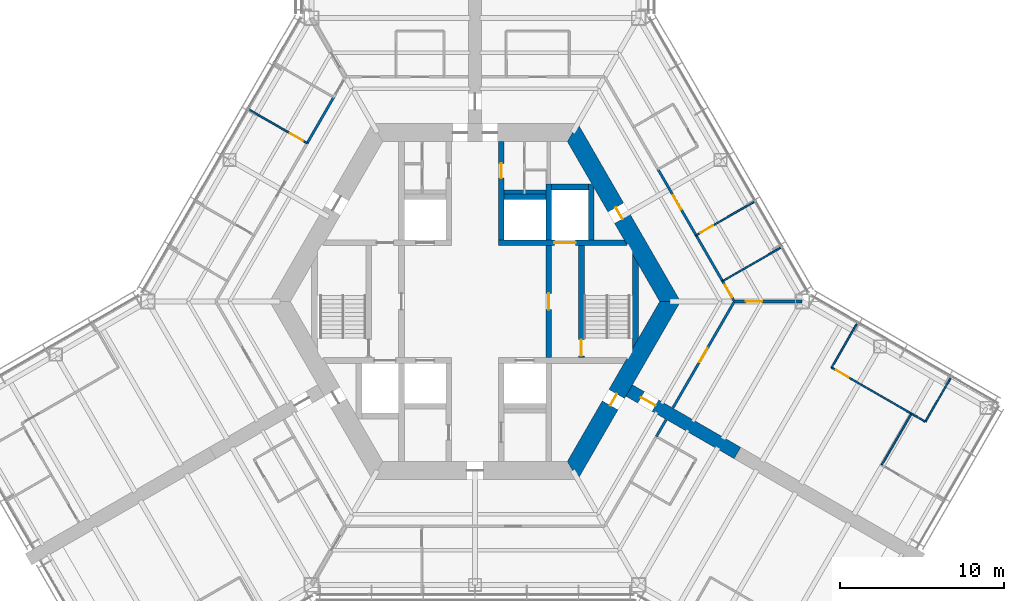
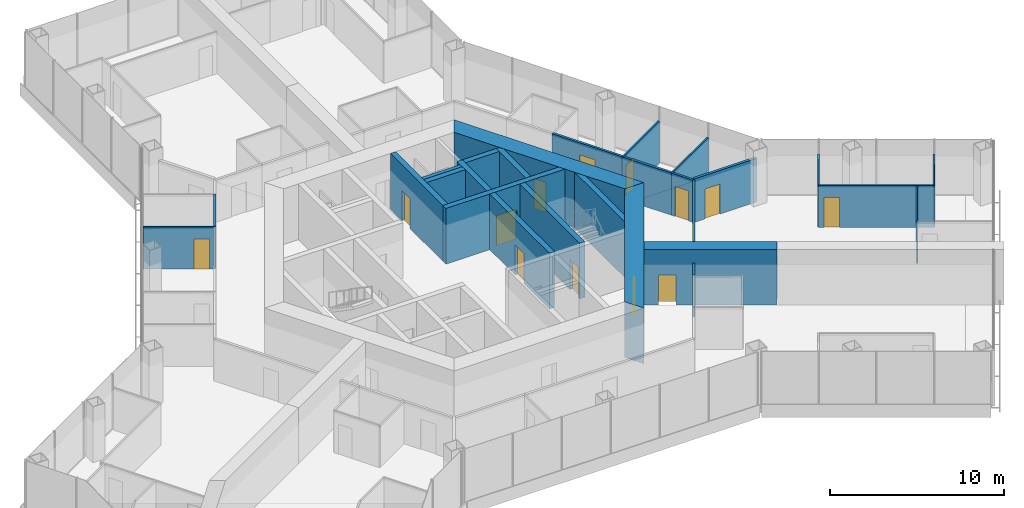
# One storey, part 14 of 19: 28 walls, 14 doors, 14 openings.
"""IFC4 building model written with IfcOpenShell, lengths in metres."""

from ifc_helpers import new_model, si_unit, direction, frame, frame_2d, origin, place, context, subcontext, project, spatial, polyline, rectangle, outline, extrude, material, layer, layer_set, type_object, element, fill, save


model = new_model("IFC4")

# Units and contexts
model_context = context("Model", 3, precision=1e-05, world=origin(), true_north=direction((0.0, 1.0)))
body_context = subcontext(model_context, "Body", "Model", "MODEL_VIEW")
ifc_project = project(units=[si_unit("LENGTHUNIT", "METRE"), si_unit("AREAUNIT", "SQUARE_METRE"), si_unit("VOLUMEUNIT", "CUBIC_METRE"), si_unit("PLANEANGLEUNIT", "RADIAN"), si_unit("MASSUNIT", "GRAM", prefix="KILO")], contexts=[model_context])

# Site, building, storey
site_placement = place(None, origin())
site = spatial("IfcSite", under=ifc_project, at=site_placement, CompositionType="ELEMENT")
building_placement = place(site_placement, origin())
building = spatial("IfcBuilding", under=site, at=building_placement, Name="Kasaneha Research Tower", CompositionType="ELEMENT")
storey_placement = place(building_placement, frame((0.0, 0.0, 100.199951171875)))
storey = spatial("IfcBuildingStorey", under=building, at=storey_placement, Name="L25", CompositionType="ELEMENT", Elevation=100.199951171875)

# Wall, opening, door
ifc_material_1 = material(Name="Concrete Fc80", Category="concrete")
ifc_layer_1 = layer(ifc_material_1, 0.35009765625)
ifc_layer_set_1 = layer_set([ifc_layer_1], Name="Core internal wall 350 Fc80")
wall_type_1 = type_object("IfcWallType", Name="Core internal wall 350 Fc80", PredefinedType="SHEAR", material=ifc_layer_set_1)
wall_1_placement = place(storey_placement, frame((1.425048828125, 3.60009765625, 0.0), z_axis=(0.0, 0.0, 1.0), x_axis=(1.0, 0.0, 0.0)))
wall_1 = element("IfcWall", 1, at=wall_1_placement, inside=storey, type_object=wall_type_1, Name="Core wall W1E L25", PredefinedType="SHEAR", context=body_context, shape_type="SweptSolid", body=[
    extrude(outline(polyline([(0.0, -0.175048828125), (3.425048828125, -0.175048828125), (4.72509765625, -0.175048828125), (7.884765625, -0.175048828125), (7.6826171875, 0.175048828125), (4.72509765625, 0.175048828125), (3.425048828125, 0.175048828125), (0.0, 0.175048828125), (0.0, -0.175048828125)])), origin(), (0.0, 0.0, 1.0), 3.900146484375),
])
opening_1_placement = place(wall_1_placement, frame((3.425048828125, 0.0, 0.0)))
opening_1 = element("IfcOpeningElement", 2, at=opening_1_placement, cuts=wall_1, Name="Opening LD-FL1-L25", PredefinedType="OPENING", context=body_context, shape_type="SweptSolid", body=[
    extrude(rectangle(XDim=1.300048828125, YDim=2.10009765625, at=frame_2d((0.64990234375, 1.050048828125))), frame((0.0, 0.18505859375, 0.0), z_axis=(0.0, -1.0, 0.0), x_axis=(1.0, 0.0, 0.0)), (0.0, 0.0, 1.0), 0.3701171875),
])
ifc_material_2 = material(Name="Steel", Category="steel")
door_type_1 = type_object("IfcDoorType", Name="Lift landing door 1300x2100", OperationType="DOUBLE_DOOR_SLIDING", PredefinedType="DOOR", material=ifc_material_2)
door_1_placement = place(opening_1_placement, origin())
door_1 = element("IfcDoor", 3, at=door_1_placement, inside=storey, type_object=door_type_1, Name="Landing door FL1 LD-FL1-L25", OperationType="DOUBLE_DOOR_SLIDING", OverallHeight=2.10009765625, OverallWidth=1.300048828125, PredefinedType="DOOR", context=body_context, shape_type="SweptSolid", body=[
    extrude(rectangle(XDim=1.300048828125, YDim=2.10009765625, at=frame_2d((0.64990234375, 1.050048828125))), frame((0.0, 0.02490234375, 0.0), z_axis=(0.0, -1.0, 0.0), x_axis=(1.0, 0.0, 0.0)), (0.0, 0.0, 1.0), 0.050048828125),
])
fill(opening_1, door_1)

wall_2_placement = place(storey_placement, frame((1.60009765625, 3.77490234375, 0.0), z_axis=(0.0, 0.0, 1.0), x_axis=(0.0, 1.0, 0.0)))
wall_2 = element("IfcWall", 4, at=wall_2_placement, inside=storey, type_object=wall_type_1, Name="Core wall CNE L25", PredefinedType="SHEAR", context=body_context, shape_type="SweptSolid", body=[
    extrude(rectangle(XDim=6.0, YDim=0.35009765625, at=frame_2d((3.0, 0.0))), origin(), (0.0, 0.0, 1.0), 3.900146484375),
])
opening_2_placement = place(wall_2_placement, frame((3.77490234375, 0.0, 0.0)))
opening_2 = element("IfcOpeningElement", 5, at=opening_2_placement, cuts=wall_2, Name="Opening L25-D14", PredefinedType="OPENING", context=body_context, shape_type="SweptSolid", body=[
    extrude(rectangle(XDim=0.89990234375, YDim=2.10009765625, at=frame_2d((0.449951171875, 1.050048828125))), frame((0.0, 0.18505859375, 0.0), z_axis=(0.0, -1.0, 0.0), x_axis=(1.0, 0.0, 0.0)), (0.0, 0.0, 1.0), 0.3701171875),
])
ifc_material_3 = material(Name="Steel", Category="steel")
door_type_2 = type_object("IfcDoorType", Name="Toilet door FD20 900x2100", OperationType="NOTDEFINED", PredefinedType="DOOR", material=ifc_material_3)
door_2_placement = place(opening_2_placement, origin())
door_2 = element("IfcDoor", 6, at=door_2_placement, inside=storey, type_object=door_type_2, Name="Women's WC door L25-D14", OperationType="SINGLE_SWING_LEFT", OverallHeight=2.10009765625, OverallWidth=0.89990234375, PredefinedType="DOOR", context=body_context, shape_type="SweptSolid", body=[
    extrude(rectangle(XDim=0.89990234375, YDim=2.10009765625, at=frame_2d((0.449951171875, 1.050048828125))), frame((0.0, 0.02490234375, 0.0), z_axis=(0.0, -1.0, 0.0), x_axis=(1.0, 0.0, 0.0)), (0.0, 0.0, 1.0), 0.050048828125),
])
fill(opening_2, door_2)

wall_3_placement = place(storey_placement, frame((4.5, -3.425048828125, 0.0), z_axis=(0.0, 0.0, 1.0), x_axis=(0.0, 1.0, 0.0)))
wall_3 = element("IfcWall", 7, at=wall_3_placement, inside=storey, type_object=wall_type_1, Name="Core wall LBE L25", PredefinedType="SHEAR", context=body_context, shape_type="SweptSolid", body=[
    extrude(rectangle(XDim=6.85009765625, YDim=0.35009765625, at=frame_2d((3.425048828125, 0.0))), origin(), (0.0, 0.0, 1.0), 3.900146484375),
])
opening_3_placement = place(wall_3_placement, frame((2.925048828125, 0.0, 0.0)))
opening_3 = element("IfcOpeningElement", 8, at=opening_3_placement, cuts=wall_3, Name="Opening L25-D08", PredefinedType="OPENING", context=body_context, shape_type="SweptSolid", body=[
    extrude(rectangle(XDim=1.0, YDim=2.10009765625, at=frame_2d((0.5, 1.050048828125))), frame((0.0, 0.18505859375, 0.0), z_axis=(0.0, -1.0, 0.0), x_axis=(1.0, 0.0, 0.0)), (0.0, 0.0, 1.0), 0.3701171875),
])
ifc_material_4 = material(Name="Steel", Category="steel")
door_type_3 = type_object("IfcDoorType", Name="Specified fire door FD60 1000x2100", OperationType="NOTDEFINED", PredefinedType="DOOR", material=ifc_material_4)
door_3_placement = place(opening_3_placement, origin())
door_3 = element("IfcDoor", 9, at=door_3_placement, inside=storey, type_object=door_type_3, Name="Lift lobby door east L25-D08", OperationType="SINGLE_SWING_LEFT", OverallHeight=2.10009765625, OverallWidth=1.0, PredefinedType="DOOR", context=body_context, shape_type="SweptSolid", body=[
    extrude(rectangle(XDim=1.0, YDim=2.10009765625, at=frame_2d((0.5, 1.050048828125))), frame((0.0, 0.02490234375, 0.0), z_axis=(0.0, -1.0, 0.0), x_axis=(1.0, 0.0, 0.0)), (0.0, 0.0, 1.0), 0.050048828125),
])
fill(opening_3, door_3)

wall_4_placement = place(storey_placement, frame((6.5, -3.425048828125, 0.0), z_axis=(0.0, 0.0, 1.0), x_axis=(0.0, 1.0, 0.0)))
wall_4 = element("IfcWall", 10, at=wall_4_placement, inside=storey, type_object=wall_type_1, Name="Core wall ANE L25", PredefinedType="SHEAR", context=body_context, shape_type="SweptSolid", body=[
    extrude(rectangle(XDim=6.85009765625, YDim=0.35009765625, at=frame_2d((3.425048828125, 0.0))), origin(), (0.0, 0.0, 1.0), 3.900146484375),
])
opening_4_placement = place(wall_4_placement, frame((0.10009765625, 0.0, 0.0)))
opening_4 = element("IfcOpeningElement", 11, at=opening_4_placement, cuts=wall_4, Name="Opening L25-D10", PredefinedType="OPENING", context=body_context, shape_type="SweptSolid", body=[
    extrude(rectangle(XDim=1.0, YDim=2.10009765625, at=frame_2d((0.5, 1.050048828125))), frame((0.0, 0.18505859375, 0.0), z_axis=(0.0, -1.0, 0.0), x_axis=(1.0, 0.0, 0.0)), (0.0, 0.0, 1.0), 0.3701171875),
])
door_4_placement = place(opening_4_placement, origin())
door_4 = element("IfcDoor", 12, at=door_4_placement, inside=storey, type_object=door_type_3, Name="Stair 1 door L25-D10", OperationType="SINGLE_SWING_LEFT", OverallHeight=2.10009765625, OverallWidth=1.0, PredefinedType="DOOR", context=body_context, shape_type="SweptSolid", body=[
    extrude(rectangle(XDim=1.0, YDim=2.10009765625, at=frame_2d((0.5, 1.050048828125))), frame((0.0, 0.02490234375, 0.0), z_axis=(0.0, -1.0, 0.0), x_axis=(1.0, 0.0, 0.0)), (0.0, 0.0, 1.0), 0.050048828125),
])
fill(opening_4, door_4)

# Walls
wall_5_placement = place(storey_placement, frame((4.5, 3.77490234375, 0.0), z_axis=(0.0, 0.0, 1.0), x_axis=(0.0, 1.0, 0.0)))
element("IfcWall", 13, at=wall_5_placement, inside=storey, type_object=wall_type_1, Name="Core wall FNE L25", PredefinedType="SHEAR", context=body_context, shape_type="SweptSolid", body=[
    extrude(rectangle(XDim=3.400146484375, YDim=0.35009765625, at=frame_2d((1.7001953125, 0.0))), origin(), (0.0, 0.0, 1.0), 3.900146484375),
])
wall_6_placement = place(storey_placement, frame((1.77490234375, 6.39990234375, 0.0), z_axis=(0.0, 0.0, 1.0), x_axis=(1.0, 0.0, 0.0)))
element("IfcWall", 14, at=wall_6_placement, inside=storey, type_object=wall_type_1, Name="Core wall N3N L25", PredefinedType="SHEAR", context=body_context, shape_type="SweptSolid", body=[
    extrude(rectangle(XDim=2.550048828125, YDim=0.35009765625, at=frame_2d((1.27490234375, 0.0))), origin(), (0.0, 0.0, 1.0), 3.900146484375),
])
wall_7_placement = place(storey_placement, frame((4.675048828125, 7.0, 0.0), z_axis=(0.0, 0.0, 1.0), x_axis=(1.0, 0.0, 0.0)))
element("IfcWall", 15, at=wall_7_placement, inside=storey, type_object=wall_type_1, Name="Core wall F1N L25", PredefinedType="SHEAR", context=body_context, shape_type="SweptSolid", body=[
    extrude(rectangle(XDim=2.25, YDim=0.35009765625, at=frame_2d((1.125, 0.0))), origin(), (0.0, 0.0, 1.0), 3.900146484375),
])
wall_8_placement = place(storey_placement, frame((7.10009765625, 3.77490234375, 0.0), z_axis=(0.0, 0.0, 1.0), x_axis=(0.0, 1.0, 0.0)))
element("IfcWall", 16, at=wall_8_placement, inside=storey, type_object=wall_type_1, Name="Core wall F1E L25", PredefinedType="SHEAR", context=body_context, shape_type="SweptSolid", body=[
    extrude(outline(polyline([(0.0, -0.175048828125), (3.174560546875, -0.175048828125), (3.400146484375, 0.0), (3.400146484375, 0.175048828125), (0.0, 0.175048828125), (0.0, -0.175048828125)])), origin(), (0.0, 0.0, 1.0), 3.900146484375),
])
wall_9_placement = place(storey_placement, frame((9.807861328125, -2.562255859375, 0.0), z_axis=(0.0, 0.0, 1.0), x_axis=(0.0, 1.0, 0.0)))
element("IfcWall", 17, at=wall_9_placement, inside=storey, type_object=wall_type_1, Name="Core wall STE L25", PredefinedType="SHEAR", context=body_context, shape_type="SweptSolid", body=[
    extrude(outline(polyline([(0.30322265625, -0.175048828125), (4.8212890625, -0.175048828125), (5.427734375, 0.175048828125), (-0.30322265625, 0.175048828125), (0.30322265625, -0.175048828125)])), origin(), (0.0, 0.0, 1.0), 3.900146484375),
])

# Wall, opening, door
ifc_material_5 = material(Name="Concrete Fc80", Category="concrete")
ifc_layer_2 = layer(ifc_material_5, 1.10009765625)
ifc_layer_set_2 = layer_set([ifc_layer_2], Name="Core wall 1100 Fc80")
wall_type_2 = type_object("IfcWallType", Name="Core wall 1100 Fc80", PredefinedType="SHEAR", material=ifc_layer_set_2)
wall_10_placement = place(storey_placement, frame((11.92236328125, 0.0, 0.0), z_axis=(0.0, 0.0, 1.0), x_axis=(-0.500004296715, 0.866022923061, 0.0)))
wall_10 = element("IfcWall", 18, at=wall_10_placement, inside=storey, type_object=wall_type_2, Name="Core wall 030 L25", PredefinedType="SHEAR", context=body_context, shape_type="SweptSolid", body=[
    extrude(outline(polyline([(-0.317626953125, -0.550048828125), (5.83544921875, -0.550048828125), (6.635498046875, -0.550048828125), (12.239990234375, -0.550048828125), (11.604736328125, 0.550048828125), (6.635498046875, 0.550048828125), (5.83544921875, 0.550048828125), (0.317626953125, 0.550048828125), (-0.317626953125, -0.550048828125)])), origin(), (0.0, 0.0, 1.0), 3.900146484375),
])
opening_5_placement = place(wall_10_placement, frame((5.83544921875, 0.0, 0.0)))
opening_5 = element("IfcOpeningElement", 19, at=opening_5_placement, cuts=wall_10, Name="Opening L25-D04", PredefinedType="OPENING", context=body_context, shape_type="SweptSolid", body=[
    extrude(rectangle(XDim=0.800048828125, YDim=2.10009765625, at=frame_2d((0.39990234375, 1.050048828125))), frame((0.0, 0.56005859375, 0.0), z_axis=(0.0, -1.0, 0.0), x_axis=(1.0, 0.0, 0.0)), (0.0, 0.0, 1.0), 1.1201171875),
])
ifc_material_6 = material(Name="Steel", Category="steel")
door_type_4 = type_object("IfcDoorType", Name="Riser access door FD60 800x2100", OperationType="NOTDEFINED", PredefinedType="DOOR", material=ifc_material_6)
door_5_placement = place(opening_5_placement, origin())
door_5 = element("IfcDoor", 20, at=door_5_placement, inside=storey, type_object=door_type_4, Name="Pipe riser door L25-D04", OperationType="SINGLE_SWING_RIGHT", OverallHeight=2.10009765625, OverallWidth=0.800048828125, PredefinedType="DOOR", context=body_context, shape_type="SweptSolid", body=[
    extrude(rectangle(XDim=0.800048828125, YDim=2.10009765625, at=frame_2d((0.39990234375, 1.050048828125))), frame((0.0, 0.02490234375, 0.0), z_axis=(0.0, -1.0, 0.0), x_axis=(1.0, 0.0, 0.0)), (0.0, 0.0, 1.0), 0.050048828125),
])
fill(opening_5, door_5)

wall_11_placement = place(storey_placement, frame((5.961181640625, -10.324951171875, 0.0), z_axis=(0.0, 0.0, 1.0), x_axis=(0.500004296715, 0.866022923061, 0.0)))
wall_11 = element("IfcWall", 21, at=wall_11_placement, inside=storey, type_object=wall_type_2, Name="Core wall 330 L25", PredefinedType="SHEAR", context=body_context, shape_type="SweptSolid", body=[
    extrude(outline(polyline([(-0.317626953125, -0.550048828125), (4.593994140625, -0.550048828125), (5.39404296875, -0.550048828125), (12.239990234375, -0.550048828125), (11.604736328125, 0.550048828125), (5.39404296875, 0.550048828125), (4.593994140625, 0.550048828125), (0.317626953125, 0.550048828125), (-0.317626953125, -0.550048828125)])), origin(), (0.0, 0.0, 1.0), 3.900146484375),
])
opening_6_placement = place(wall_11_placement, frame((4.593994140625, 0.0, 0.0)))
opening_6 = element("IfcOpeningElement", 22, at=opening_6_placement, cuts=wall_11, Name="Opening L25-D05", PredefinedType="OPENING", context=body_context, shape_type="SweptSolid", body=[
    extrude(rectangle(XDim=0.800048828125, YDim=2.10009765625, at=frame_2d((0.39990234375, 1.050048828125))), frame((0.0, 0.56005859375, 0.0), z_axis=(0.0, -1.0, 0.0), x_axis=(1.0, 0.0, 0.0)), (0.0, 0.0, 1.0), 1.1201171875),
])
door_6_placement = place(opening_6_placement, origin())
door_6 = element("IfcDoor", 23, at=door_6_placement, inside=storey, type_object=door_type_4, Name="Pipe riser door L25-D05", OperationType="SINGLE_SWING_LEFT", OverallHeight=2.10009765625, OverallWidth=0.800048828125, PredefinedType="DOOR", context=body_context, shape_type="SweptSolid", body=[
    extrude(rectangle(XDim=0.800048828125, YDim=2.10009765625, at=frame_2d((0.39990234375, 1.050048828125))), frame((0.0, 0.02490234375, 0.0), z_axis=(0.0, -1.0, 0.0), x_axis=(1.0, 0.0, 0.0)), (0.0, 0.0, 1.0), 0.050048828125),
])
fill(opening_6, door_6)

# Wall
ifc_material_7 = material(Name="Gypsum board on steel studs, one layer each side", Category="steel")
ifc_layer_3 = layer(ifc_material_7, 0.10009765625)
ifc_layer_set_3 = layer_set([ifc_layer_3], Name="Office partition 100")
wall_type_3 = type_object("IfcWallType", Name="Office partition 100", PredefinedType="PARTITIONING", material=ifc_layer_set_3)
wall_12_placement = place(storey_placement, frame((18.662109375, 3.27734375, 0.0), z_axis=(0.0, 0.0, 1.0), x_axis=(-0.866635015839, -0.498942631293, 0.0)))
element("IfcWall", 24, at=wall_12_placement, inside=storey, type_object=wall_type_3, Name="Office partition FAE21 L25", PredefinedType="PARTITIONING", context=body_context, shape_type="SweptSolid", body=[
    extrude(rectangle(XDim=4.075439453125, YDim=0.10009765625, at=frame_2d((2.03759765625, 0.0))), origin(), (0.0, 0.0, 1.0), 2.949951171875),
])

# Wall, opening, door
wall_13_placement = place(storey_placement, frame((13.51171875, 4.047119140625, 0.0), z_axis=(0.0, 0.0, 1.0), x_axis=(0.865456213931, 0.500984572385, 0.0)))
wall_13 = element("IfcWall", 25, at=wall_13_placement, inside=storey, type_object=wall_type_3, Name="Office partition FAE22 L25", PredefinedType="PARTITIONING", context=body_context, shape_type="SweptSolid", body=[
    extrude(rectangle(XDim=4.095458984375, YDim=0.10009765625, at=frame_2d((2.0478515625, 0.0))), origin(), (0.0, 0.0, 1.0), 2.949951171875),
])
opening_7_placement = place(wall_13_placement, frame((0.300048828125, 0.0, 0.0)))
opening_7 = element("IfcOpeningElement", 26, at=opening_7_placement, cuts=wall_13, Name="Opening L25-D34", PredefinedType="OPENING", context=body_context, shape_type="SweptSolid", body=[
    extrude(rectangle(XDim=0.89990234375, YDim=2.10009765625, at=frame_2d((0.449951171875, 1.050048828125))), frame((0.0, 0.06005859375, 0.0), z_axis=(0.0, -1.0, 0.0), x_axis=(1.0, 0.0, 0.0)), (0.0, 0.0, 1.0), 0.1201171875),
])
ifc_material_8 = material(Name="Timber veneer", Category="wood")
door_type_5 = type_object("IfcDoorType", Name="Office door 900x2100", OperationType="SINGLE_SWING_LEFT", PredefinedType="DOOR", material=ifc_material_8)
door_7_placement = place(opening_7_placement, origin())
door_7 = element("IfcDoor", 27, at=door_7_placement, inside=storey, type_object=door_type_5, Name="Reception room door L25-D34", OperationType="SINGLE_SWING_LEFT", OverallHeight=2.10009765625, OverallWidth=0.89990234375, PredefinedType="DOOR", context=body_context, shape_type="SweptSolid", body=[
    extrude(rectangle(XDim=0.89990234375, YDim=2.10009765625, at=frame_2d((0.449951171875, 1.050048828125))), frame((0.0, 0.02490234375, 0.0), z_axis=(0.0, -1.0, 0.0), x_axis=(1.0, 0.0, 0.0)), (0.0, 0.0, 1.0), 0.050048828125),
])
fill(opening_7, door_7)

wall_14_placement = place(storey_placement, frame((-10.2607421875, 9.677734375, 0.0), z_axis=(0.0, 0.0, 1.0), x_axis=(-0.866571988865, 0.499052089581, 0.0)))
wall_14 = element("IfcWall", 28, at=wall_14_placement, inside=storey, type_object=wall_type_3, Name="Office partition FBN16 L25", PredefinedType="PARTITIONING", context=body_context, shape_type="SweptSolid", body=[
    extrude(rectangle(XDim=4.12060546875, YDim=0.10009765625, at=frame_2d((2.060302734375, 0.0))), origin(), (0.0, 0.0, 1.0), 2.949951171875),
])
opening_8_placement = place(wall_14_placement, frame((0.300048828125, 0.0, 0.0)))
opening_8 = element("IfcOpeningElement", 29, at=opening_8_placement, cuts=wall_14, Name="Opening L25-D46", PredefinedType="OPENING", context=body_context, shape_type="SweptSolid", body=[
    extrude(rectangle(XDim=0.89990234375, YDim=2.10009765625, at=frame_2d((0.449951171875, 1.050048828125))), frame((0.0, 0.06005859375, 0.0), z_axis=(0.0, -1.0, 0.0), x_axis=(1.0, 0.0, 0.0)), (0.0, 0.0, 1.0), 0.1201171875),
])
door_8_placement = place(opening_8_placement, origin())
door_8 = element("IfcDoor", 30, at=door_8_placement, inside=storey, type_object=door_type_5, Name="Project room door L25-D46", OperationType="SINGLE_SWING_LEFT", OverallHeight=2.10009765625, OverallWidth=0.89990234375, PredefinedType="DOOR", context=body_context, shape_type="SweptSolid", body=[
    extrude(rectangle(XDim=0.89990234375, YDim=2.10009765625, at=frame_2d((0.449951171875, 1.050048828125))), frame((0.0, 0.02490234375, 0.0), z_axis=(0.0, -1.0, 0.0), x_axis=(1.0, 0.0, 0.0)), (0.0, 0.0, 1.0), 0.050048828125),
])
fill(opening_8, door_8)

# Walls
wall_15_placement = place(storey_placement, frame((27.52490234375, -7.3466796875, 0.0), z_axis=(0.0, 0.0, 1.0), x_axis=(-0.866030338286, 0.499991453095, 0.0)))
element("IfcWall", 31, at=wall_15_placement, inside=storey, type_object=wall_type_3, Name="Office partition FCE02 L25", PredefinedType="PARTITIONING", context=body_context, shape_type="SweptSolid", body=[
    extrude(rectangle(XDim=0.9951171875, YDim=0.10009765625, at=frame_2d((0.49755859375, 0.0))), origin(), (0.0, 0.0, 1.0), 2.949951171875),
])
wall_16_placement = place(storey_placement, frame((29.0625, -4.68359375, 0.0), z_axis=(0.0, 0.0, 1.0), x_axis=(-0.500015675843, -0.866016353143, 0.0)))
element("IfcWall", 32, at=wall_16_placement, inside=storey, type_object=wall_type_3, Name="Office partition FCE03 L25", PredefinedType="PARTITIONING", context=body_context, shape_type="SweptSolid", body=[
    extrude(rectangle(XDim=3.0751953125, YDim=0.10009765625, at=frame_2d((1.53759765625, 0.0))), origin(), (0.0, 0.0, 1.0), 2.949951171875),
])
wall_17_placement = place(storey_placement, frame((21.792236328125, -4.037109375, 0.0), z_axis=(0.0, 0.0, 1.0), x_axis=(0.499992328818, 0.866029832698, 0.0)))
element("IfcWall", 33, at=wall_17_placement, inside=storey, type_object=wall_type_3, Name="Office partition FCE04 L25", PredefinedType="PARTITIONING", context=body_context, shape_type="SweptSolid", body=[
    extrude(rectangle(XDim=3.080078125, YDim=0.10009765625, at=frame_2d((1.5400390625, 0.0))), origin(), (0.0, 0.0, 1.0), 2.949951171875),
])

# Wall, opening, door
wall_18_placement = place(storey_placement, frame((26.67138671875, -6.85400390625, 0.0), z_axis=(0.0, 0.0, 1.0), x_axis=(-0.8660318798, 0.499988783044, 0.0)))
wall_18 = element("IfcWall", 34, at=wall_18_placement, inside=storey, type_object=wall_type_3, Name="Office partition FCE05 L25", PredefinedType="PARTITIONING", context=body_context, shape_type="SweptSolid", body=[
    extrude(rectangle(XDim=5.634033203125, YDim=0.10009765625, at=frame_2d((2.81689453125, 0.0))), origin(), (0.0, 0.0, 1.0), 2.949951171875),
])
opening_9_placement = place(wall_18_placement, frame((4.433837890625, 0.0, 0.0)))
opening_9 = element("IfcOpeningElement", 35, at=opening_9_placement, cuts=wall_18, Name="Opening L25-D51", PredefinedType="OPENING", context=body_context, shape_type="SweptSolid", body=[
    extrude(rectangle(XDim=0.89990234375, YDim=2.10009765625, at=frame_2d((0.449951171875, 1.050048828125))), frame((0.0, 0.06005859375, 0.0), z_axis=(0.0, -1.0, 0.0), x_axis=(1.0, 0.0, 0.0)), (0.0, 0.0, 1.0), 0.1201171875),
])
door_9_placement = place(opening_9_placement, origin())
door_9 = element("IfcDoor", 36, at=door_9_placement, inside=storey, type_object=door_type_5, Name="Manager's office door L25-D51", OperationType="SINGLE_SWING_RIGHT", OverallHeight=2.10009765625, OverallWidth=0.89990234375, PredefinedType="DOOR", context=body_context, shape_type="SweptSolid", body=[
    extrude(rectangle(XDim=0.89990234375, YDim=2.10009765625, at=frame_2d((0.449951171875, 1.050048828125))), frame((0.0, 0.02490234375, 0.0), z_axis=(0.0, -1.0, 0.0), x_axis=(1.0, 0.0, 0.0)), (0.0, 0.0, 1.0), 0.050048828125),
])
fill(opening_9, door_9)

# Wall
wall_19_placement = place(storey_placement, frame((24.850830078125, -9.998291015625, 0.0), z_axis=(0.0, 0.0, 1.0), x_axis=(0.501073352817, 0.865404815735, 0.0)))
element("IfcWall", 37, at=wall_19_placement, inside=storey, type_object=wall_type_3, Name="Office partition FCE06 L25", PredefinedType="PARTITIONING", context=body_context, shape_type="SweptSolid", body=[
    extrude(rectangle(XDim=3.63330078125, YDim=0.10009765625, at=frame_2d((1.816650390625, 0.0))), origin(), (0.0, 0.0, 1.0), 2.949951171875),
])

# Wall, opening, door
ifc_material_9 = material(Name="Concrete Fc80", Category="concrete")
ifc_layer_4 = layer(ifc_material_9, 0.800048828125)
ifc_layer_set_4 = layer_set([ifc_layer_4], Name="Spine wall 800 Fc80")
wall_type_4 = type_object("IfcWallType", Name="Spine wall 800 Fc80", PredefinedType="SHEAR", material=ifc_layer_set_4)
wall_20_placement = place(storey_placement, frame((9.41796875, -5.4375, 0.0), z_axis=(0.0, 0.0, 1.0), x_axis=(0.866029782078, -0.499992416496, 0.0)))
wall_20 = element("IfcWall", 38, at=wall_20_placement, inside=storey, type_object=wall_type_4, Name="Spine wall C L25", PredefinedType="SHEAR", context=body_context, shape_type="SweptSolid", body=[
    extrude(rectangle(XDim=7.6455078125, YDim=0.800048828125, at=frame_2d((3.82275390625, 0.0))), origin(), (0.0, 0.0, 1.0), 3.900146484375),
])
opening_10_placement = place(wall_20_placement, frame((0.85009765625, 0.0, 0.0)))
opening_10 = element("IfcOpeningElement", 39, at=opening_10_placement, cuts=wall_20, Name="Opening L25-D19", PredefinedType="OPENING", context=body_context, shape_type="SweptSolid", body=[
    extrude(rectangle(XDim=1.0, YDim=2.10009765625, at=frame_2d((0.5, 1.050048828125))), frame((0.0, 0.41015625, 0.0), z_axis=(0.0, -1.0, 0.0), x_axis=(1.0, 0.0, 0.0)), (0.0, 0.0, 1.0), 0.820068359375),
])
door_10_placement = place(opening_10_placement, origin())
door_10 = element("IfcDoor", 40, at=door_10_placement, inside=storey, type_object=door_type_3, Name="Spine doorway C L25-D19", OperationType="SINGLE_SWING_LEFT", OverallHeight=2.10009765625, OverallWidth=1.0, PredefinedType="DOOR", context=body_context, shape_type="SweptSolid", body=[
    extrude(rectangle(XDim=1.0, YDim=2.10009765625, at=frame_2d((0.5, 1.050048828125))), frame((0.0, 0.02490234375, 0.0), z_axis=(0.0, -1.0, 0.0), x_axis=(1.0, 0.0, 0.0)), (0.0, 0.0, 1.0), 0.050048828125),
])
fill(opening_10, door_10)

# Wall
ifc_material_10 = material(Name="Gypsum board on steel studs, two layers each side", Category="steel")
ifc_layer_5 = layer(ifc_material_10, 0.14990234375)
ifc_layer_set_5 = layer_set([ifc_layer_5], Name="Suite partition 150")
wall_type_5 = type_object("IfcWallType", Name="Suite partition 150", PredefinedType="PARTITIONING", material=ifc_layer_set_5)
wall_21_placement = place(storey_placement, frame((13.5068359375, 4.055419921875, 0.0), z_axis=(0.0, 0.0, 1.0), x_axis=(0.499969057507, -0.866043267704, 0.0)))
element("IfcWall", 41, at=wall_21_placement, inside=storey, type_object=wall_type_5, Name="Suite partition FAE03 L25", PredefinedType="PARTITIONING", context=body_context, shape_type="SweptSolid", body=[
    extrude(rectangle(XDim=3.256591796875, YDim=0.14990234375, at=frame_2d((1.62841796875, 0.0))), origin(), (0.0, 0.0, 1.0), 2.949951171875),
])

# Wall, opening, door
wall_22_placement = place(storey_placement, frame((15.130126953125, 1.243896484375, 0.0), z_axis=(0.0, 0.0, 1.0), x_axis=(0.499966713218, -0.866044621064, 0.0)))
wall_22 = element("IfcWall", 42, at=wall_22_placement, inside=storey, type_object=wall_type_5, Name="Suite partition FAE04 L25", PredefinedType="PARTITIONING", context=body_context, shape_type="SweptSolid", body=[
    extrude(rectangle(XDim=1.4130859375, YDim=0.14990234375, at=frame_2d((0.70654296875, 0.0))), origin(), (0.0, 0.0, 1.0), 2.949951171875),
])
opening_11_placement = place(wall_22_placement, frame((0.25, 0.0, 0.0)))
opening_11 = element("IfcOpeningElement", 43, at=opening_11_placement, cuts=wall_22, Name="Opening L25-D28", PredefinedType="OPENING", context=body_context, shape_type="SweptSolid", body=[
    extrude(rectangle(XDim=0.89990234375, YDim=2.10009765625, at=frame_2d((0.449951171875, 1.050048828125))), frame((0.0, 0.0849609375, 0.0), z_axis=(0.0, -1.0, 0.0), x_axis=(1.0, 0.0, 0.0)), (0.0, 0.0, 1.0), 0.169921875),
])
door_11_placement = place(opening_11_placement, origin())
door_11 = element("IfcDoor", 44, at=door_11_placement, inside=storey, type_object=door_type_5, Name="Workroom door L25-D28", OperationType="SINGLE_SWING_LEFT", OverallHeight=2.10009765625, OverallWidth=0.89990234375, PredefinedType="DOOR", context=body_context, shape_type="SweptSolid", body=[
    extrude(rectangle(XDim=0.89990234375, YDim=2.10009765625, at=frame_2d((0.449951171875, 1.050048828125))), frame((0.0, 0.02490234375, 0.0), z_axis=(0.0, -1.0, 0.0), x_axis=(1.0, 0.0, 0.0)), (0.0, 0.0, 1.0), 0.050048828125),
])
fill(opening_11, door_11)

wall_23_placement = place(storey_placement, frame((11.18408203125, 8.078857421875, 0.0), z_axis=(0.0, 0.0, 1.0), x_axis=(0.499985748238, -0.866033631887, 0.0)))
wall_23 = element("IfcWall", 45, at=wall_23_placement, inside=storey, type_object=wall_type_5, Name="Suite partition FAE08 L25", PredefinedType="PARTITIONING", context=body_context, shape_type="SweptSolid", body=[
    extrude(rectangle(XDim=4.655517578125, YDim=0.14990234375, at=frame_2d((2.32763671875, 0.0))), origin(), (0.0, 0.0, 1.0), 2.949951171875),
])
opening_12_placement = place(wall_23_placement, frame((1.82763671875, 0.0, 0.0)))
opening_12 = element("IfcOpeningElement", 46, at=opening_12_placement, cuts=wall_23, Name="Opening L25-D29", PredefinedType="OPENING", context=body_context, shape_type="SweptSolid", body=[
    extrude(rectangle(XDim=1.0, YDim=2.10009765625, at=frame_2d((0.5, 1.050048828125))), frame((0.0, 0.0849609375, 0.0), z_axis=(0.0, -1.0, 0.0), x_axis=(1.0, 0.0, 0.0)), (0.0, 0.0, 1.0), 0.169921875),
])
ifc_material_11 = material(Name="Steel", Category="steel")
door_type_6 = type_object("IfcDoorType", Name="Suite entrance door FD60 1000x2100", OperationType="NOTDEFINED", PredefinedType="DOOR", material=ifc_material_11)
door_12_placement = place(opening_12_placement, origin())
door_12 = element("IfcDoor", 47, at=door_12_placement, inside=storey, type_object=door_type_6, Name="Suite entrance door L25-D29", OperationType="SINGLE_SWING_LEFT", OverallHeight=2.10009765625, OverallWidth=1.0, PredefinedType="DOOR", context=body_context, shape_type="SweptSolid", body=[
    extrude(rectangle(XDim=1.0, YDim=2.10009765625, at=frame_2d((0.5, 1.050048828125))), frame((0.0, 0.02490234375, 0.0), z_axis=(0.0, -1.0, 0.0), x_axis=(1.0, 0.0, 0.0)), (0.0, 0.0, 1.0), 0.050048828125),
])
fill(opening_12, door_12)

# Wall
wall_24_placement = place(storey_placement, frame((-10.265380859375, 9.669677734375, 0.0), z_axis=(0.0, 0.0, 1.0), x_axis=(0.500001520505, 0.866024525919, 0.0)))
element("IfcWall", 48, at=wall_24_placement, inside=storey, type_object=wall_type_5, Name="Suite partition FBN02 L25", PredefinedType="PARTITIONING", context=body_context, shape_type="SweptSolid", body=[
    extrude(rectangle(XDim=3.25634765625, YDim=0.14990234375, at=frame_2d((1.628173828125, 0.0))), origin(), (0.0, 0.0, 1.0), 2.949951171875),
])

# Wall, opening, door
wall_25_placement = place(storey_placement, frame((15.836669921875, -0.02001953125, 0.0), z_axis=(0.0, 0.0, 1.0), x_axis=(-0.499996473158, -0.866027439998, 0.0)))
wall_25 = element("IfcWall", 49, at=wall_25_placement, inside=storey, type_object=wall_type_5, Name="Suite partition FCE01 L25", PredefinedType="PARTITIONING", context=body_context, shape_type="SweptSolid", body=[
    extrude(rectangle(XDim=7.48095703125, YDim=0.14990234375, at=frame_2d((3.740478515625, 0.0))), origin(), (0.0, 0.0, 1.0), 2.949951171875),
])
opening_13_placement = place(wall_25_placement, frame((3.240478515625, 0.0, 0.0)))
opening_13 = element("IfcOpeningElement", 50, at=opening_13_placement, cuts=wall_25, Name="Opening L25-D50", PredefinedType="OPENING", context=body_context, shape_type="SweptSolid", body=[
    extrude(rectangle(XDim=1.0, YDim=2.10009765625, at=frame_2d((0.5, 1.050048828125))), frame((0.0, 0.0849609375, 0.0), z_axis=(0.0, -1.0, 0.0), x_axis=(1.0, 0.0, 0.0)), (0.0, 0.0, 1.0), 0.169921875),
])
door_13_placement = place(opening_13_placement, origin())
door_13 = element("IfcDoor", 51, at=door_13_placement, inside=storey, type_object=door_type_6, Name="Suite entrance door L25-D50", OperationType="SINGLE_SWING_LEFT", OverallHeight=2.10009765625, OverallWidth=1.0, PredefinedType="DOOR", context=body_context, shape_type="SweptSolid", body=[
    extrude(rectangle(XDim=1.0, YDim=2.10009765625, at=frame_2d((0.5, 1.050048828125))), frame((0.0, 0.02490234375, 0.0), z_axis=(0.0, -1.0, 0.0), x_axis=(1.0, 0.0, 0.0)), (0.0, 0.0, 1.0), 0.050048828125),
])
fill(opening_13, door_13)

# Wall
wall_26_placement = place(storey_placement, frame((11.67626953125, -7.226318359375, 0.0), z_axis=(0.0, 0.0, 1.0), x_axis=(-0.500085263423, -0.865976171327, 0.0)))
element("IfcWall", 52, at=wall_26_placement, inside=storey, type_object=wall_type_5, Name="Suite partition FCS05 L25", PredefinedType="PARTITIONING", context=body_context, shape_type="SweptSolid", body=[
    extrude(rectangle(XDim=1.184326171875, YDim=0.14990234375, at=frame_2d((0.59228515625, 0.0))), origin(), (0.0, 0.0, 1.0), 2.949951171875),
])

# Wall, opening, door
ifc_material_12 = material(Name="Gypsum board on steel studs, two layers each side", Category="steel")
ifc_layer_6 = layer(ifc_material_12, 0.175048828125)
ifc_layer_set_6 = layer_set([ifc_layer_6], Name="Tenancy fire partition 175")
wall_type_6 = type_object("IfcWallType", Name="Tenancy fire partition 175", PredefinedType="PARTITIONING", material=ifc_layer_set_6)
wall_27_placement = place(storey_placement, frame((15.84814453125, 0.0, 0.0), z_axis=(0.0, 0.0, 1.0), x_axis=(1.0, 0.0, 0.0)))
wall_27 = element("IfcWall", 53, at=wall_27_placement, inside=storey, type_object=wall_type_6, Name="Tenancy fire partition T000 L25", PredefinedType="PARTITIONING", context=body_context, shape_type="SweptSolid", body=[
    extrude(rectangle(XDim=4.15185546875, YDim=0.175048828125, at=frame_2d((2.075927734375, 0.0))), origin(), (0.0, 0.0, 1.0), 3.050048828125),
])
opening_14_placement = place(wall_27_placement, frame((0.699951171875, 0.0, 0.0)))
opening_14 = element("IfcOpeningElement", 54, at=opening_14_placement, cuts=wall_27, Name="Opening L25-D24", PredefinedType="OPENING", context=body_context, shape_type="SweptSolid", body=[
    extrude(rectangle(XDim=1.0, YDim=2.10009765625, at=frame_2d((0.5, 1.050048828125))), frame((0.0, 0.09765625, 0.0), z_axis=(0.0, -1.0, 0.0), x_axis=(1.0, 0.0, 0.0)), (0.0, 0.0, 1.0), 0.195068359375),
])
door_14_placement = place(opening_14_placement, origin())
door_14 = element("IfcDoor", 55, at=door_14_placement, inside=storey, type_object=door_type_6, Name="Connecting door L25-D24", OperationType="SINGLE_SWING_LEFT", OverallHeight=2.10009765625, OverallWidth=1.0, PredefinedType="DOOR", context=body_context, shape_type="SweptSolid", body=[
    extrude(rectangle(XDim=1.0, YDim=2.10009765625, at=frame_2d((0.5, 1.050048828125))), frame((0.0, 0.02490234375, 0.0), z_axis=(0.0, -1.0, 0.0), x_axis=(1.0, 0.0, 0.0)), (0.0, 0.0, 1.0), 0.050048828125),
])
fill(opening_14, door_14)

# Wall
ifc_material_13 = material(Name="Concrete block lining", Category="concrete")
ifc_layer_7 = layer(ifc_material_13, 0.25)
ifc_layer_set_7 = layer_set([ifc_layer_7], Name="WC plumbing wall 250")
wall_type_7 = type_object("IfcWallType", Name="WC plumbing wall 250", PredefinedType="PLUMBINGWALL", material=ifc_layer_set_7)
wall_28_placement = place(storey_placement, frame((1.77490234375, 6.699951171875, 0.0), z_axis=(0.0, 0.0, 1.0), x_axis=(1.0, 0.0, 0.0)))
element("IfcWall", 56, at=wall_28_placement, inside=storey, type_object=wall_type_7, Name="WC plumbing wall F L25", PredefinedType="PLUMBINGWALL", context=body_context, shape_type="SweptSolid", body=[
    extrude(rectangle(XDim=2.550048828125, YDim=0.25, at=frame_2d((1.27490234375, 0.0))), origin(), (0.0, 0.0, 1.0), 3.900146484375),
])

save(model, "model.ifc")
